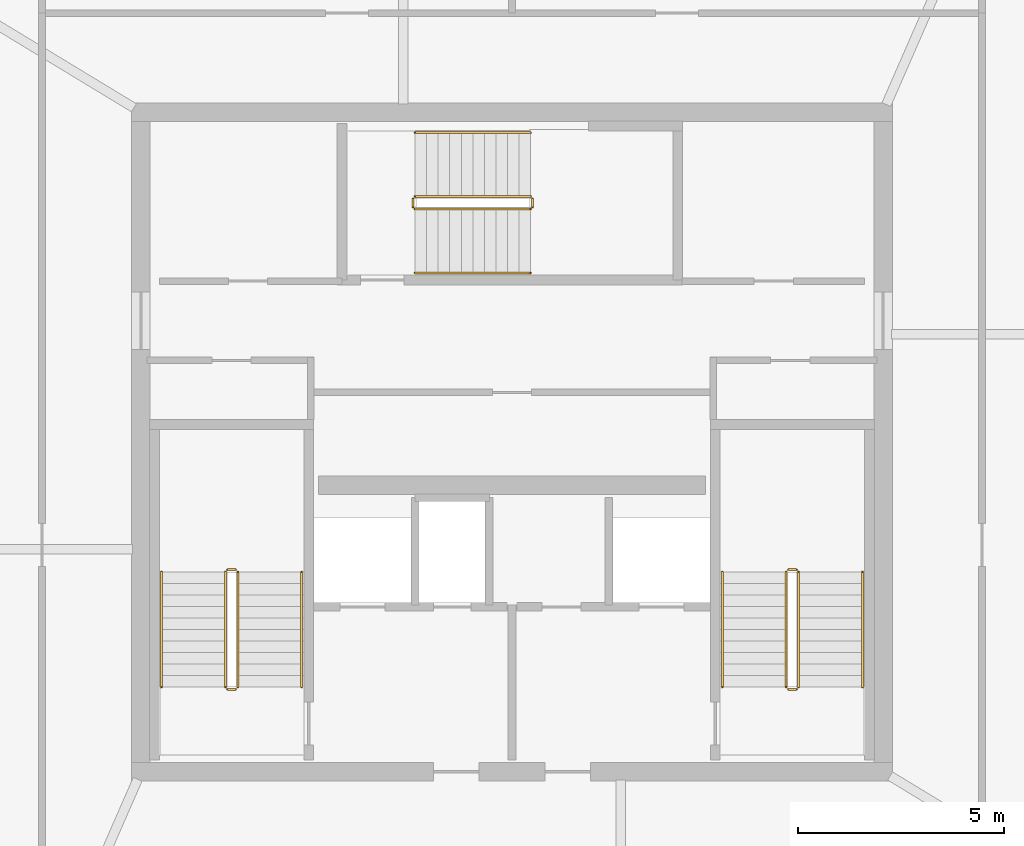
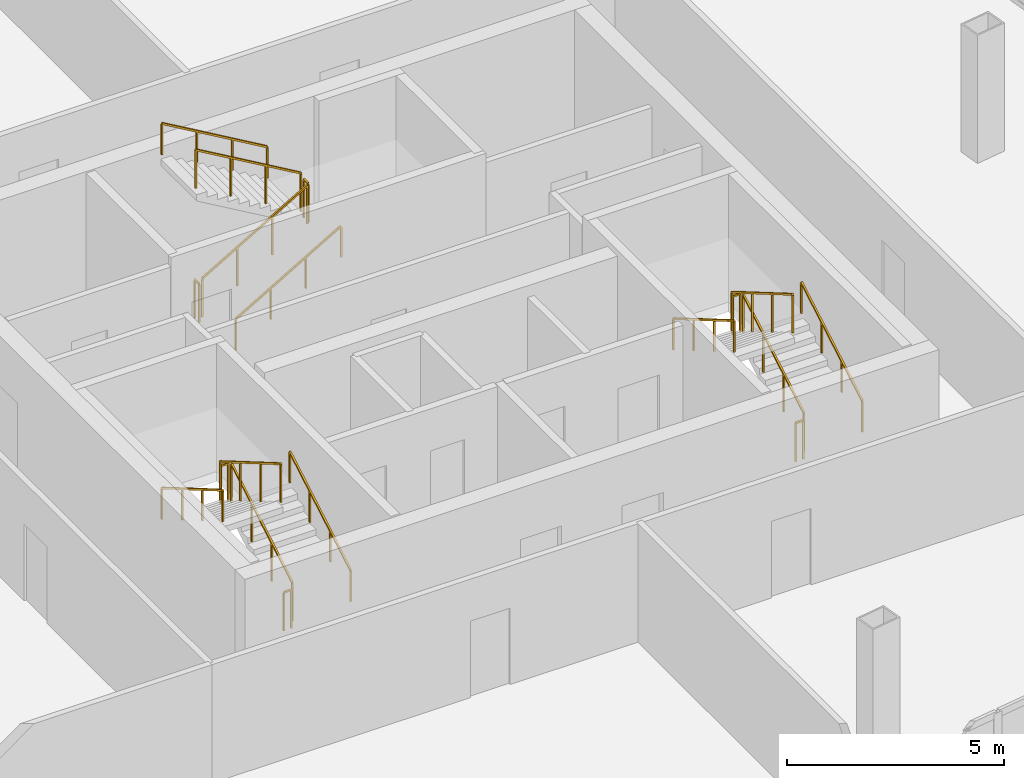
# One storey, part 17 of 17: 18 railings.
"""IFC4 building model written with IfcOpenShell, lengths in metres."""

from ifc_helpers import new_model, si_unit, direction, frame, origin, origin_2d, place, context, subcontext, project, spatial, rectangle, extrude, material, type_object, element, save


model = new_model("IFC4")

# Units and contexts
model_context = context("Model", 3, precision=1e-05, world=origin(), true_north=direction((0.0, 1.0)))
body_context = subcontext(model_context, "Body", "Model", "MODEL_VIEW")
ifc_project = project(units=[si_unit("LENGTHUNIT", "METRE"), si_unit("AREAUNIT", "SQUARE_METRE"), si_unit("VOLUMEUNIT", "CUBIC_METRE"), si_unit("PLANEANGLEUNIT", "RADIAN"), si_unit("MASSUNIT", "GRAM", prefix="KILO")], contexts=[model_context])

# Site, building, storey
site_placement = place(None, origin())
site = spatial("IfcSite", under=ifc_project, at=site_placement, CompositionType="ELEMENT")
building_placement = place(site_placement, origin())
building = spatial("IfcBuilding", under=site, at=building_placement, Name="Haldenkirk Collegiate Tower", CompositionType="ELEMENT")
storey_placement = place(building_placement, frame((0.0, 0.0, 367.800048828125)))
storey = spatial("IfcBuildingStorey", under=building, at=storey_placement, Name="L93", CompositionType="ELEMENT", Elevation=367.800048828125)

# Railings
ifc_material = material(Name="Painted architectural tubular steel", Category="steel")
railing_type_1 = type_object("IfcRailingType", Name="RLG-STAIR-GUARD-1100", PredefinedType="BALUSTRADE", material=ifc_material)
railing_1_placement = place(storey_placement, frame((29.35009765625, 20.050048828125, 0.16357421875)))
element("IfcRailing", 1, at=railing_1_placement, inside=storey, type_object=railing_type_1, Name="L93 ST-1 stair guard 1", PredefinedType="BALUSTRADE", context=body_context, shape_type="SweptSolid", body=[
    extrude(rectangle(XDim=0.048095703125, YDim=0.048095703125, at=origin_2d()), frame((0.0, 0.0, 1.076171875), z_axis=(0.0, 0.863360870873, 0.504586966384), x_axis=(-1.0, 0.0, 0.0)), (0.0, 0.0, 1.0), 3.2431640625),
    extrude(rectangle(XDim=0.0419921875, YDim=0.0419921875, at=origin_2d()), origin(), (0.0, 0.0, 1.0), 1.052001953125),
    extrude(rectangle(XDim=0.0419921875, YDim=0.0419921875, at=origin_2d()), frame((0.0, 0.933349609375, 0.54541015625)), (0.0, 0.0, 1.0), 1.052001953125),
    extrude(rectangle(XDim=0.0419921875, YDim=0.0419921875, at=origin_2d()), frame((0.0, 1.86669921875, 1.091064453125)), (0.0, 0.0, 1.0), 1.052001953125),
    extrude(rectangle(XDim=0.0419921875, YDim=0.0419921875, at=origin_2d()), frame((0.0, 2.800048828125, 1.636474609375)), (0.0, 0.0, 1.0), 1.052001953125),
])
railing_2_placement = place(storey_placement, frame((29.300048828125, 22.89990234375, 1.800048828125)))
element("IfcRailing", 2, at=railing_2_placement, inside=storey, type_object=railing_type_1, Name="L93 ST-1 stair guard 2", PredefinedType="BALUSTRADE", context=body_context, shape_type="SweptSolid", body=[
    extrude(rectangle(XDim=0.048095703125, YDim=0.048095703125, at=origin_2d()), frame((0.0, 0.0, 1.076171875), z_axis=(-1.0, 0.0, 0.0), x_axis=(0.0, -1.0, 0.0)), (0.0, 0.0, 1.0), 0.199951171875),
    extrude(rectangle(XDim=0.0419921875, YDim=0.0419921875, at=origin_2d()), origin(), (0.0, 0.0, 1.0), 1.052001953125),
    extrude(rectangle(XDim=0.0419921875, YDim=0.0419921875, at=origin_2d()), frame((-0.199951171875, 0.0, 0.0)), (0.0, 0.0, 1.0), 1.052001953125),
])
railing_3_placement = place(storey_placement, frame((29.050048828125, 22.85009765625, 1.963623046875)))
element("IfcRailing", 3, at=railing_3_placement, inside=storey, type_object=railing_type_1, Name="L93 ST-1 stair guard 3", PredefinedType="BALUSTRADE", context=body_context, shape_type="SweptSolid", body=[
    extrude(rectangle(XDim=0.048095703125, YDim=0.048095703125, at=origin_2d()), frame((0.0, 0.0, 1.076171875), z_axis=(0.0, -0.863393664356, 0.504530851732), x_axis=(1.0, 0.0, 0.0)), (0.0, 0.0, 1.0), 3.2431640625),
    extrude(rectangle(XDim=0.0419921875, YDim=0.0419921875, at=origin_2d()), origin(), (0.0, 0.0, 1.0), 1.052001953125),
    extrude(rectangle(XDim=0.0419921875, YDim=0.0419921875, at=origin_2d()), frame((0.0, -0.933349609375, 0.54541015625)), (0.0, 0.0, 1.0), 1.052001953125),
    extrude(rectangle(XDim=0.0419921875, YDim=0.0419921875, at=origin_2d()), frame((0.0, -1.86669921875, 1.0908203125)), (0.0, 0.0, 1.0), 1.052001953125),
    extrude(rectangle(XDim=0.0419921875, YDim=0.0419921875, at=origin_2d()), frame((0.0, -2.800048828125, 1.63623046875)), (0.0, 0.0, 1.0), 1.052001953125),
])
railing_4_placement = place(storey_placement, frame((29.300048828125, 20.0, 0.0)))
element("IfcRailing", 4, at=railing_4_placement, inside=storey, type_object=railing_type_1, Name="L93 ST-1 stair guard 4", PredefinedType="BALUSTRADE", context=body_context, shape_type="SweptSolid", body=[
    extrude(rectangle(XDim=0.048095703125, YDim=0.048095703125, at=origin_2d()), frame((0.0, 0.0, 1.076171875), z_axis=(-1.0, 0.0, 0.0), x_axis=(0.0, -1.0, 0.0)), (0.0, 0.0, 1.0), 0.199951171875),
    extrude(rectangle(XDim=0.0419921875, YDim=0.0419921875, at=origin_2d()), origin(), (0.0, 0.0, 1.0), 1.052001953125),
    extrude(rectangle(XDim=0.0419921875, YDim=0.0419921875, at=origin_2d()), frame((-0.199951171875, 0.0, 0.0)), (0.0, 0.0, 1.0), 1.052001953125),
])
railing_5_placement = place(storey_placement, frame((42.949951171875, 20.050048828125, 0.16357421875)))
element("IfcRailing", 5, at=railing_5_placement, inside=storey, type_object=railing_type_1, Name="L93 ST-2 stair guard 1", PredefinedType="BALUSTRADE", context=body_context, shape_type="SweptSolid", body=[
    extrude(rectangle(XDim=0.048095703125, YDim=0.048095703125, at=origin_2d()), frame((0.0, 0.0, 1.076171875), z_axis=(0.0, 0.863360870873, 0.504586966384), x_axis=(-1.0, 0.0, 0.0)), (0.0, 0.0, 1.0), 3.2431640625),
    extrude(rectangle(XDim=0.0419921875, YDim=0.0419921875, at=origin_2d()), origin(), (0.0, 0.0, 1.0), 1.052001953125),
    extrude(rectangle(XDim=0.0419921875, YDim=0.0419921875, at=origin_2d()), frame((0.0, 0.933349609375, 0.54541015625)), (0.0, 0.0, 1.0), 1.052001953125),
    extrude(rectangle(XDim=0.0419921875, YDim=0.0419921875, at=origin_2d()), frame((0.0, 1.86669921875, 1.091064453125)), (0.0, 0.0, 1.0), 1.052001953125),
    extrude(rectangle(XDim=0.0419921875, YDim=0.0419921875, at=origin_2d()), frame((0.0, 2.800048828125, 1.636474609375)), (0.0, 0.0, 1.0), 1.052001953125),
])
railing_6_placement = place(storey_placement, frame((42.89990234375, 22.89990234375, 1.800048828125)))
element("IfcRailing", 6, at=railing_6_placement, inside=storey, type_object=railing_type_1, Name="L93 ST-2 stair guard 2", PredefinedType="BALUSTRADE", context=body_context, shape_type="SweptSolid", body=[
    extrude(rectangle(XDim=0.048095703125, YDim=0.048095703125, at=origin_2d()), frame((0.0, 0.0, 1.076171875), z_axis=(-1.0, 0.0, 0.0), x_axis=(0.0, -1.0, 0.0)), (0.0, 0.0, 1.0), 0.199951171875),
    extrude(rectangle(XDim=0.0419921875, YDim=0.0419921875, at=origin_2d()), origin(), (0.0, 0.0, 1.0), 1.052001953125),
    extrude(rectangle(XDim=0.0419921875, YDim=0.0419921875, at=origin_2d()), frame((-0.199951171875, 0.0, 0.0)), (0.0, 0.0, 1.0), 1.052001953125),
])
railing_7_placement = place(storey_placement, frame((42.64990234375, 22.85009765625, 1.963623046875)))
element("IfcRailing", 7, at=railing_7_placement, inside=storey, type_object=railing_type_1, Name="L93 ST-2 stair guard 3", PredefinedType="BALUSTRADE", context=body_context, shape_type="SweptSolid", body=[
    extrude(rectangle(XDim=0.048095703125, YDim=0.048095703125, at=origin_2d()), frame((0.0, 0.0, 1.076171875), z_axis=(0.0, -0.863393664356, 0.504530851732), x_axis=(1.0, 0.0, 0.0)), (0.0, 0.0, 1.0), 3.2431640625),
    extrude(rectangle(XDim=0.0419921875, YDim=0.0419921875, at=origin_2d()), origin(), (0.0, 0.0, 1.0), 1.052001953125),
    extrude(rectangle(XDim=0.0419921875, YDim=0.0419921875, at=origin_2d()), frame((0.0, -0.933349609375, 0.54541015625)), (0.0, 0.0, 1.0), 1.052001953125),
    extrude(rectangle(XDim=0.0419921875, YDim=0.0419921875, at=origin_2d()), frame((0.0, -1.86669921875, 1.0908203125)), (0.0, 0.0, 1.0), 1.052001953125),
    extrude(rectangle(XDim=0.0419921875, YDim=0.0419921875, at=origin_2d()), frame((0.0, -2.800048828125, 1.63623046875)), (0.0, 0.0, 1.0), 1.052001953125),
])
railing_8_placement = place(storey_placement, frame((42.89990234375, 20.0, 0.0)))
element("IfcRailing", 8, at=railing_8_placement, inside=storey, type_object=railing_type_1, Name="L93 ST-2 stair guard 4", PredefinedType="BALUSTRADE", context=body_context, shape_type="SweptSolid", body=[
    extrude(rectangle(XDim=0.048095703125, YDim=0.048095703125, at=origin_2d()), frame((0.0, 0.0, 1.076171875), z_axis=(-1.0, 0.0, 0.0), x_axis=(0.0, -1.0, 0.0)), (0.0, 0.0, 1.0), 0.199951171875),
    extrude(rectangle(XDim=0.0419921875, YDim=0.0419921875, at=origin_2d()), origin(), (0.0, 0.0, 1.0), 1.052001953125),
    extrude(rectangle(XDim=0.0419921875, YDim=0.0419921875, at=origin_2d()), frame((-0.199951171875, 0.0, 0.0)), (0.0, 0.0, 1.0), 1.052001953125),
])
railing_9_placement = place(storey_placement, frame((33.64990234375, 31.64990234375, 0.16357421875)))
element("IfcRailing", 9, at=railing_9_placement, inside=storey, type_object=railing_type_1, Name="L93 ST-3 stair guard 1", PredefinedType="BALUSTRADE", context=body_context, shape_type="SweptSolid", body=[
    extrude(rectangle(XDim=0.048095703125, YDim=0.048095703125, at=origin_2d()), frame((0.0, 0.0, 1.076171875), z_axis=(0.863360870873, 0.0, 0.504586966384), x_axis=(0.0, 1.0, 0.0)), (0.0, 0.0, 1.0), 3.2431640625),
    extrude(rectangle(XDim=0.0419921875, YDim=0.0419921875, at=origin_2d()), origin(), (0.0, 0.0, 1.0), 1.052001953125),
    extrude(rectangle(XDim=0.0419921875, YDim=0.0419921875, at=origin_2d()), frame((0.933349609375, 0.0, 0.54541015625)), (0.0, 0.0, 1.0), 1.052001953125),
    extrude(rectangle(XDim=0.0419921875, YDim=0.0419921875, at=origin_2d()), frame((1.86669921875, 0.0, 1.091064453125)), (0.0, 0.0, 1.0), 1.052001953125),
    extrude(rectangle(XDim=0.0419921875, YDim=0.0419921875, at=origin_2d()), frame((2.800048828125, 0.0, 1.636474609375)), (0.0, 0.0, 1.0), 1.052001953125),
])
railing_10_placement = place(storey_placement, frame((36.5, 31.699951171875, 1.800048828125)))
element("IfcRailing", 10, at=railing_10_placement, inside=storey, type_object=railing_type_1, Name="L93 ST-3 stair guard 2", PredefinedType="BALUSTRADE", context=body_context, shape_type="SweptSolid", body=[
    extrude(rectangle(XDim=0.048095703125, YDim=0.048095703125, at=origin_2d()), frame((0.0, 0.0, 1.076171875), z_axis=(0.0, 1.0, 0.0), x_axis=(-1.0, 0.0, 0.0)), (0.0, 0.0, 1.0), 0.199951171875),
    extrude(rectangle(XDim=0.0419921875, YDim=0.0419921875, at=origin_2d()), origin(), (0.0, 0.0, 1.0), 1.052001953125),
    extrude(rectangle(XDim=0.0419921875, YDim=0.0419921875, at=origin_2d()), frame((0.0, 0.199951171875, 0.0)), (0.0, 0.0, 1.0), 1.052001953125),
])
railing_11_placement = place(storey_placement, frame((36.449951171875, 31.949951171875, 1.963623046875)))
element("IfcRailing", 11, at=railing_11_placement, inside=storey, type_object=railing_type_1, Name="L93 ST-3 stair guard 3", PredefinedType="BALUSTRADE", context=body_context, shape_type="SweptSolid", body=[
    extrude(rectangle(XDim=0.048095703125, YDim=0.048095703125, at=origin_2d()), frame((0.0, 0.0, 1.076171875), z_axis=(-0.863393664356, 0.0, 0.504530851732), x_axis=(0.0, -1.0, 0.0)), (0.0, 0.0, 1.0), 3.2431640625),
    extrude(rectangle(XDim=0.0419921875, YDim=0.0419921875, at=origin_2d()), origin(), (0.0, 0.0, 1.0), 1.052001953125),
    extrude(rectangle(XDim=0.0419921875, YDim=0.0419921875, at=origin_2d()), frame((-0.933349609375, 0.0, 0.54541015625)), (0.0, 0.0, 1.0), 1.052001953125),
    extrude(rectangle(XDim=0.0419921875, YDim=0.0419921875, at=origin_2d()), frame((-1.86669921875, 0.0, 1.0908203125)), (0.0, 0.0, 1.0), 1.052001953125),
    extrude(rectangle(XDim=0.0419921875, YDim=0.0419921875, at=origin_2d()), frame((-2.800048828125, 0.0, 1.63623046875)), (0.0, 0.0, 1.0), 1.052001953125),
])
railing_12_placement = place(storey_placement, frame((33.60009765625, 31.699951171875, 0.0)))
element("IfcRailing", 12, at=railing_12_placement, inside=storey, type_object=railing_type_1, Name="L93 ST-3 stair guard 4", PredefinedType="BALUSTRADE", context=body_context, shape_type="SweptSolid", body=[
    extrude(rectangle(XDim=0.048095703125, YDim=0.048095703125, at=origin_2d()), frame((0.0, 0.0, 1.076171875), z_axis=(0.0, 1.0, 0.0), x_axis=(-1.0, 0.0, 0.0)), (0.0, 0.0, 1.0), 0.199951171875),
    extrude(rectangle(XDim=0.0419921875, YDim=0.0419921875, at=origin_2d()), origin(), (0.0, 0.0, 1.0), 1.052001953125),
    extrude(rectangle(XDim=0.0419921875, YDim=0.0419921875, at=origin_2d()), frame((0.0, 0.199951171875, 0.0)), (0.0, 0.0, 1.0), 1.052001953125),
])
railing_type_2 = type_object("IfcRailingType", Name="RLG-STAIR-HANDRAIL-900", PredefinedType="HANDRAIL", material=ifc_material)
railing_13_placement = place(storey_placement, frame((30.89990234375, 20.050048828125, 0.16357421875)))
element("IfcRailing", 13, at=railing_13_placement, inside=storey, type_object=railing_type_2, Name="L93 ST-1 stair handrail 1", PredefinedType="HANDRAIL", context=body_context, shape_type="SweptSolid", body=[
    extrude(rectangle(XDim=0.048095703125, YDim=0.048095703125, at=origin_2d()), frame((0.0, 0.0, 0.8759765625), z_axis=(0.0, 0.863360870873, 0.504586966384), x_axis=(-1.0, 0.0, 0.0)), (0.0, 0.0, 1.0), 3.2431640625),
    extrude(rectangle(XDim=0.0419921875, YDim=0.0419921875, at=origin_2d()), origin(), (0.0, 0.0, 1.0), 0.851806640625),
    extrude(rectangle(XDim=0.0419921875, YDim=0.0419921875, at=origin_2d()), frame((0.0, 0.933349609375, 0.54541015625)), (0.0, 0.0, 1.0), 0.851806640625),
    extrude(rectangle(XDim=0.0419921875, YDim=0.0419921875, at=origin_2d()), frame((0.0, 1.86669921875, 1.091064453125)), (0.0, 0.0, 1.0), 0.851806640625),
    extrude(rectangle(XDim=0.0419921875, YDim=0.0419921875, at=origin_2d()), frame((0.0, 2.800048828125, 1.636474609375)), (0.0, 0.0, 1.0), 0.851806640625),
])
railing_14_placement = place(storey_placement, frame((27.5, 22.85009765625, 1.963623046875)))
element("IfcRailing", 14, at=railing_14_placement, inside=storey, type_object=railing_type_2, Name="L93 ST-1 stair handrail 2", PredefinedType="HANDRAIL", context=body_context, shape_type="SweptSolid", body=[
    extrude(rectangle(XDim=0.048095703125, YDim=0.048095703125, at=origin_2d()), frame((0.0, 0.0, 0.8759765625), z_axis=(0.0, -0.863393664356, 0.504530851732), x_axis=(1.0, 0.0, 0.0)), (0.0, 0.0, 1.0), 3.2431640625),
    extrude(rectangle(XDim=0.0419921875, YDim=0.0419921875, at=origin_2d()), origin(), (0.0, 0.0, 1.0), 0.851806640625),
    extrude(rectangle(XDim=0.0419921875, YDim=0.0419921875, at=origin_2d()), frame((0.0, -0.933349609375, 0.54541015625)), (0.0, 0.0, 1.0), 0.851806640625),
    extrude(rectangle(XDim=0.0419921875, YDim=0.0419921875, at=origin_2d()), frame((0.0, -1.86669921875, 1.0908203125)), (0.0, 0.0, 1.0), 0.851806640625),
    extrude(rectangle(XDim=0.0419921875, YDim=0.0419921875, at=origin_2d()), frame((0.0, -2.800048828125, 1.63623046875)), (0.0, 0.0, 1.0), 0.851806640625),
])
railing_15_placement = place(storey_placement, frame((44.5, 20.050048828125, 0.16357421875)))
element("IfcRailing", 15, at=railing_15_placement, inside=storey, type_object=railing_type_2, Name="L93 ST-2 stair handrail 1", PredefinedType="HANDRAIL", context=body_context, shape_type="SweptSolid", body=[
    extrude(rectangle(XDim=0.048095703125, YDim=0.048095703125, at=origin_2d()), frame((0.0, 0.0, 0.8759765625), z_axis=(0.0, 0.863360870873, 0.504586966384), x_axis=(-1.0, 0.0, 0.0)), (0.0, 0.0, 1.0), 3.2431640625),
    extrude(rectangle(XDim=0.0419921875, YDim=0.0419921875, at=origin_2d()), origin(), (0.0, 0.0, 1.0), 0.851806640625),
    extrude(rectangle(XDim=0.0419921875, YDim=0.0419921875, at=origin_2d()), frame((0.0, 0.933349609375, 0.54541015625)), (0.0, 0.0, 1.0), 0.851806640625),
    extrude(rectangle(XDim=0.0419921875, YDim=0.0419921875, at=origin_2d()), frame((0.0, 1.86669921875, 1.091064453125)), (0.0, 0.0, 1.0), 0.851806640625),
    extrude(rectangle(XDim=0.0419921875, YDim=0.0419921875, at=origin_2d()), frame((0.0, 2.800048828125, 1.636474609375)), (0.0, 0.0, 1.0), 0.851806640625),
])
railing_16_placement = place(storey_placement, frame((41.10009765625, 22.85009765625, 1.963623046875)))
element("IfcRailing", 16, at=railing_16_placement, inside=storey, type_object=railing_type_2, Name="L93 ST-2 stair handrail 2", PredefinedType="HANDRAIL", context=body_context, shape_type="SweptSolid", body=[
    extrude(rectangle(XDim=0.048095703125, YDim=0.048095703125, at=origin_2d()), frame((0.0, 0.0, 0.8759765625), z_axis=(0.0, -0.863393664356, 0.504530851732), x_axis=(1.0, 0.0, 0.0)), (0.0, 0.0, 1.0), 3.2431640625),
    extrude(rectangle(XDim=0.0419921875, YDim=0.0419921875, at=origin_2d()), origin(), (0.0, 0.0, 1.0), 0.851806640625),
    extrude(rectangle(XDim=0.0419921875, YDim=0.0419921875, at=origin_2d()), frame((0.0, -0.933349609375, 0.54541015625)), (0.0, 0.0, 1.0), 0.851806640625),
    extrude(rectangle(XDim=0.0419921875, YDim=0.0419921875, at=origin_2d()), frame((0.0, -1.86669921875, 1.0908203125)), (0.0, 0.0, 1.0), 0.851806640625),
    extrude(rectangle(XDim=0.0419921875, YDim=0.0419921875, at=origin_2d()), frame((0.0, -2.800048828125, 1.63623046875)), (0.0, 0.0, 1.0), 0.851806640625),
])
railing_17_placement = place(storey_placement, frame((33.64990234375, 30.10009765625, 0.16357421875)))
element("IfcRailing", 17, at=railing_17_placement, inside=storey, type_object=railing_type_2, Name="L93 ST-3 stair handrail 1", PredefinedType="HANDRAIL", context=body_context, shape_type="SweptSolid", body=[
    extrude(rectangle(XDim=0.048095703125, YDim=0.048095703125, at=origin_2d()), frame((0.0, 0.0, 0.8759765625), z_axis=(0.863360870873, 0.0, 0.504586966384), x_axis=(0.0, 1.0, 0.0)), (0.0, 0.0, 1.0), 3.2431640625),
    extrude(rectangle(XDim=0.0419921875, YDim=0.0419921875, at=origin_2d()), origin(), (0.0, 0.0, 1.0), 0.851806640625),
    extrude(rectangle(XDim=0.0419921875, YDim=0.0419921875, at=origin_2d()), frame((0.933349609375, 0.0, 0.54541015625)), (0.0, 0.0, 1.0), 0.851806640625),
    extrude(rectangle(XDim=0.0419921875, YDim=0.0419921875, at=origin_2d()), frame((1.86669921875, 0.0, 1.091064453125)), (0.0, 0.0, 1.0), 0.851806640625),
    extrude(rectangle(XDim=0.0419921875, YDim=0.0419921875, at=origin_2d()), frame((2.800048828125, 0.0, 1.636474609375)), (0.0, 0.0, 1.0), 0.851806640625),
])
railing_18_placement = place(storey_placement, frame((36.449951171875, 33.5, 1.963623046875)))
element("IfcRailing", 18, at=railing_18_placement, inside=storey, type_object=railing_type_2, Name="L93 ST-3 stair handrail 2", PredefinedType="HANDRAIL", context=body_context, shape_type="SweptSolid", body=[
    extrude(rectangle(XDim=0.048095703125, YDim=0.048095703125, at=origin_2d()), frame((0.0, 0.0, 0.8759765625), z_axis=(-0.863393664356, 0.0, 0.504530851732), x_axis=(0.0, -1.0, 0.0)), (0.0, 0.0, 1.0), 3.2431640625),
    extrude(rectangle(XDim=0.0419921875, YDim=0.0419921875, at=origin_2d()), origin(), (0.0, 0.0, 1.0), 0.851806640625),
    extrude(rectangle(XDim=0.0419921875, YDim=0.0419921875, at=origin_2d()), frame((-0.933349609375, 0.0, 0.54541015625)), (0.0, 0.0, 1.0), 0.851806640625),
    extrude(rectangle(XDim=0.0419921875, YDim=0.0419921875, at=origin_2d()), frame((-1.86669921875, 0.0, 1.0908203125)), (0.0, 0.0, 1.0), 0.851806640625),
    extrude(rectangle(XDim=0.0419921875, YDim=0.0419921875, at=origin_2d()), frame((-2.800048828125, 0.0, 1.63623046875)), (0.0, 0.0, 1.0), 0.851806640625),
])

save(model, "model.ifc")
